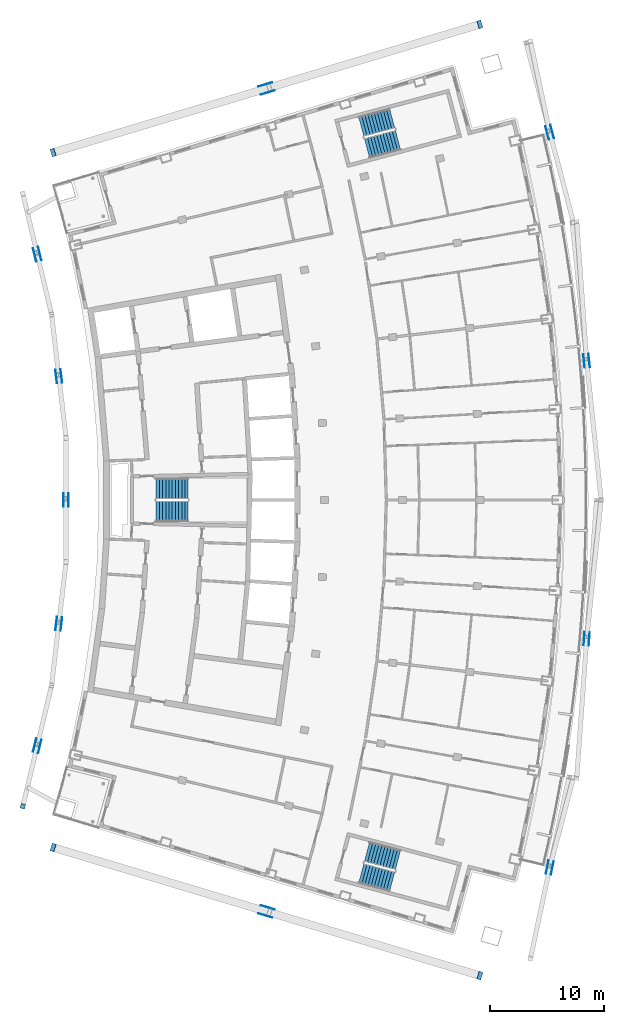
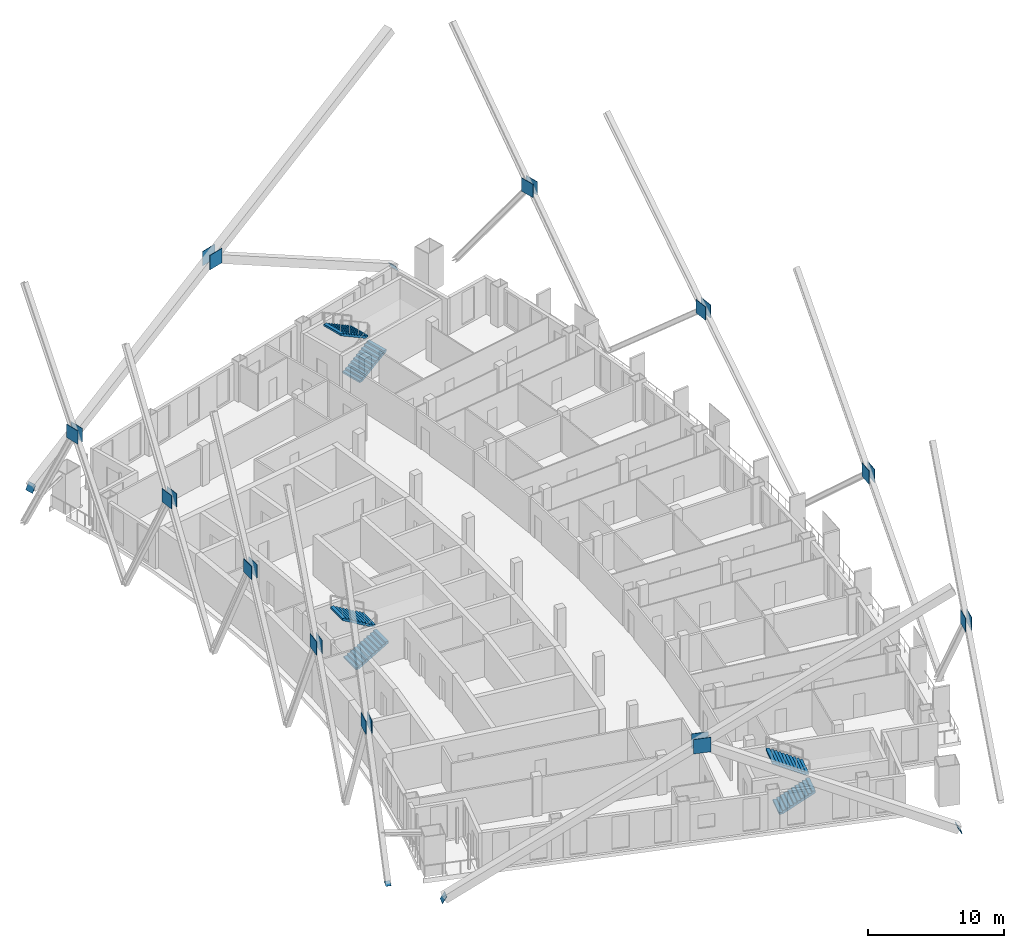
# One storey, part 15 of 21: 27 discrete accessories, 6 stair flights, 3 elements without a shape of their own.
"""IFC4 building model written with IfcOpenShell, lengths in metres."""

from ifc_helpers import new_model, si_unit, direction, frame, origin, origin_2d, place, context, subcontext, project, spatial, polyline, rectangle, outline, extrude, material, layer, layer_set, material_profile, profile_set, type_object, element, aggregate, save


model = new_model("IFC4")

# Units and contexts
model_context = context("Model", 3, precision=1e-05, world=origin(), true_north=direction((0.0, 1.0)))
body_context = subcontext(model_context, "Body", "Model", "MODEL_VIEW")
ifc_project = project(units=[si_unit("LENGTHUNIT", "METRE"), si_unit("AREAUNIT", "SQUARE_METRE"), si_unit("VOLUMEUNIT", "CUBIC_METRE"), si_unit("PLANEANGLEUNIT", "RADIAN"), si_unit("MASSUNIT", "GRAM", prefix="KILO")], contexts=[model_context])

# Site, building, storey
site_placement = place(None, origin())
site = spatial("IfcSite", under=ifc_project, at=site_placement, CompositionType="ELEMENT")
building_placement = place(site_placement, origin())
building = spatial("IfcBuilding", under=site, at=building_placement, Name="Alderwake Tower", CompositionType="ELEMENT")
storey_placement = place(building_placement, frame((0.0, 0.0, 267.199951171875)))
storey = spatial("IfcBuildingStorey", under=building, at=storey_placement, Name="L66", CompositionType="ELEMENT", Elevation=267.199951171875)

# Stair, stair flights
ifc_material_1 = material(Name="Concrete C40/50", Category="concrete")
stair_type = type_object("IfcStairType", Name="Core exit stair", PredefinedType="HALF_TURN_STAIR", material=ifc_material_1)
stair_1_placement = place(storey_placement, origin())
stair_1 = element("IfcStair", 1, at=stair_1_placement, inside=storey, type_object=stair_type, Name="L66 Exit Stair B", PredefinedType="HALF_TURN_STAIR")
ifc_material_2 = material(Name="Concrete C40/50", Category="concrete")
ifc_layer = layer(ifc_material_2, 0.14990234375)
ifc_layer_set = layer_set([ifc_layer], Name="Core stair flight")
stair_flight_type = type_object("IfcStairFlightType", Name="Core stair flight", PredefinedType="STRAIGHT", material=ifc_layer_set)
stair_flight_1_placement = place(storey_placement, frame((21.0400390625, 60.02490234375, 0.0), z_axis=(0.0, 0.0, 1.0), x_axis=(1.0, 0.0, 0.0)))
stair_flight_1 = element("IfcStairFlight", 2, at=stair_flight_1_placement, type_object=stair_flight_type, Name="ST-B flight 1", NumberOfRisers=11, NumberOfTreads=10, PredefinedType="STRAIGHT", RiserHeight=0.163636364, TreadLength=0.28, context=body_context, shape_type="SweptSolid", body=[
    extrude(outline(polyline([(0.0, 0.0), (0.0, 0.16357421875), (0.280029296875, 0.16357421875), (0.280029296875, 0.327392578125), (0.56005859375, 0.327392578125), (0.56005859375, 0.490966796875), (0.840087890625, 0.490966796875), (0.840087890625, 0.654541015625), (1.1201171875, 0.654541015625), (1.1201171875, 0.818115234375), (1.39990234375, 0.818115234375), (1.39990234375, 0.98193359375), (1.679931640625, 0.98193359375), (1.679931640625, 1.1455078125), (1.9599609375, 1.1455078125), (1.9599609375, 1.30908203125), (2.239990234375, 1.30908203125), (2.239990234375, 1.47265625), (2.52001953125, 1.47265625), (2.52001953125, 1.636474609375), (2.800048828125, 1.636474609375), (2.800048828125, 1.800048828125), (2.800048828125, 1.462646484375), (0.297119140625, 0.0), (0.0, 0.0)])), frame((0.0, 0.89990234375, 0.0), z_axis=(0.0, -1.0, 0.0), x_axis=(1.0, 0.0, 0.0)), (0.0, 0.0, 1.0), 1.800048828125),
])
stair_flight_2_placement = place(storey_placement, frame((23.840087890625, 61.97509765625, 1.800048828125), z_axis=(0.0, 0.0, 1.0), x_axis=(-1.0, 0.0, 0.0)))
stair_flight_2 = element("IfcStairFlight", 3, at=stair_flight_2_placement, type_object=stair_flight_type, Name="ST-B flight 2", NumberOfRisers=11, NumberOfTreads=10, PredefinedType="STRAIGHT", RiserHeight=0.163636364, TreadLength=0.28, context=body_context, shape_type="SweptSolid", body=[
    extrude(outline(polyline([(0.0, 0.0), (0.0, 0.16357421875), (0.280029296875, 0.16357421875), (0.280029296875, 0.327392578125), (0.56005859375, 0.327392578125), (0.56005859375, 0.490966796875), (0.840087890625, 0.490966796875), (0.840087890625, 0.654541015625), (1.1201171875, 0.654541015625), (1.1201171875, 0.818115234375), (1.39990234375, 0.818115234375), (1.39990234375, 0.98193359375), (1.679931640625, 0.98193359375), (1.679931640625, 1.1455078125), (1.9599609375, 1.1455078125), (1.9599609375, 1.30908203125), (2.239990234375, 1.30908203125), (2.239990234375, 1.47265625), (2.52001953125, 1.47265625), (2.52001953125, 1.636474609375), (2.800048828125, 1.636474609375), (2.800048828125, 1.800048828125), (2.800048828125, 1.462646484375), (0.297119140625, 0.0), (0.0, 0.0)])), frame((0.0, 0.89990234375, 0.0), z_axis=(0.0, -1.0, 0.0), x_axis=(1.0, 0.0, 0.0)), (0.0, 0.0, 1.0), 1.800048828125),
])
aggregate(stair_1, [stair_flight_1, stair_flight_2])

stair_2_placement = place(storey_placement, origin())
stair_2 = element("IfcStair", 4, at=stair_2_placement, inside=storey, type_object=stair_type, Name="L66 Exit Stair A", PredefinedType="HALF_TURN_STAIR")
stair_flight_3_placement = place(storey_placement, frame((39.512939453125, 91.823974609375, 0.0), z_axis=(0.0, 0.0, 1.0), x_axis=(0.966309627437, 0.257382407951, 0.0)))
stair_flight_3 = element("IfcStairFlight", 5, at=stair_flight_3_placement, type_object=stair_flight_type, Name="ST-A flight 1", NumberOfRisers=11, NumberOfTreads=10, PredefinedType="STRAIGHT", RiserHeight=0.163636364, TreadLength=0.28, context=body_context, shape_type="SweptSolid", body=[
    extrude(outline(polyline([(0.0, 0.0), (0.0, 0.16357421875), (0.280029296875, 0.16357421875), (0.280029296875, 0.327392578125), (0.56005859375, 0.327392578125), (0.56005859375, 0.490966796875), (0.840087890625, 0.490966796875), (0.840087890625, 0.654541015625), (1.1201171875, 0.654541015625), (1.1201171875, 0.818115234375), (1.39990234375, 0.818115234375), (1.39990234375, 0.98193359375), (1.679931640625, 0.98193359375), (1.679931640625, 1.1455078125), (1.9599609375, 1.1455078125), (1.9599609375, 1.30908203125), (2.239990234375, 1.30908203125), (2.239990234375, 1.47265625), (2.52001953125, 1.47265625), (2.52001953125, 1.636474609375), (2.800048828125, 1.636474609375), (2.800048828125, 1.800048828125), (2.800048828125, 1.462646484375), (0.297119140625, 0.0), (0.0, 0.0)])), frame((0.0, 0.89990234375, 0.0), z_axis=(0.0, -1.0, 0.0), x_axis=(1.0, 0.0, 0.0)), (0.0, 0.0, 1.0), 1.800048828125),
])
stair_flight_4_placement = place(storey_placement, frame((41.716796875, 94.428955078125, 1.800048828125), z_axis=(0.0, 0.0, 1.0), x_axis=(-0.966309627437, -0.257382407951, 0.0)))
stair_flight_4 = element("IfcStairFlight", 6, at=stair_flight_4_placement, type_object=stair_flight_type, Name="ST-A flight 2", NumberOfRisers=11, NumberOfTreads=10, PredefinedType="STRAIGHT", RiserHeight=0.163636364, TreadLength=0.28, context=body_context, shape_type="SweptSolid", body=[
    extrude(outline(polyline([(0.0, 0.0), (0.0, 0.16357421875), (0.280029296875, 0.16357421875), (0.280029296875, 0.327392578125), (0.56005859375, 0.327392578125), (0.56005859375, 0.490966796875), (0.840087890625, 0.490966796875), (0.840087890625, 0.654541015625), (1.1201171875, 0.654541015625), (1.1201171875, 0.818115234375), (1.39990234375, 0.818115234375), (1.39990234375, 0.98193359375), (1.679931640625, 0.98193359375), (1.679931640625, 1.1455078125), (1.9599609375, 1.1455078125), (1.9599609375, 1.30908203125), (2.239990234375, 1.30908203125), (2.239990234375, 1.47265625), (2.52001953125, 1.47265625), (2.52001953125, 1.636474609375), (2.800048828125, 1.636474609375), (2.800048828125, 1.800048828125), (2.800048828125, 1.462646484375), (0.297119140625, 0.0), (0.0, 0.0)])), frame((0.0, 0.89990234375, 0.0), z_axis=(0.0, -1.0, 0.0), x_axis=(1.0, 0.0, 0.0)), (0.0, 0.0, 1.0), 1.800048828125),
])
aggregate(stair_2, [stair_flight_3, stair_flight_4])

stair_3_placement = place(storey_placement, origin())
stair_3 = element("IfcStair", 7, at=stair_3_placement, inside=storey, type_object=stair_type, Name="L66 Exit Stair C", PredefinedType="HALF_TURN_STAIR")
stair_flight_5_placement = place(storey_placement, frame((39.010986328125, 28.291748046875, 0.0), z_axis=(0.0, 0.0, 1.0), x_axis=(0.966309627437, -0.257382407951, 0.0)))
stair_flight_5 = element("IfcStairFlight", 8, at=stair_flight_5_placement, type_object=stair_flight_type, Name="ST-C flight 1", NumberOfRisers=11, NumberOfTreads=10, PredefinedType="STRAIGHT", RiserHeight=0.163636364, TreadLength=0.28, context=body_context, shape_type="SweptSolid", body=[
    extrude(outline(polyline([(0.0, 0.0), (0.0, 0.16357421875), (0.280029296875, 0.16357421875), (0.280029296875, 0.327392578125), (0.56005859375, 0.327392578125), (0.56005859375, 0.490966796875), (0.840087890625, 0.490966796875), (0.840087890625, 0.654541015625), (1.1201171875, 0.654541015625), (1.1201171875, 0.818115234375), (1.39990234375, 0.818115234375), (1.39990234375, 0.98193359375), (1.679931640625, 0.98193359375), (1.679931640625, 1.1455078125), (1.9599609375, 1.1455078125), (1.9599609375, 1.30908203125), (2.239990234375, 1.30908203125), (2.239990234375, 1.47265625), (2.52001953125, 1.47265625), (2.52001953125, 1.636474609375), (2.800048828125, 1.636474609375), (2.800048828125, 1.800048828125), (2.800048828125, 1.462646484375), (0.297119140625, 0.0), (0.0, 0.0)])), frame((0.0, 0.89990234375, 0.0), z_axis=(0.0, -1.0, 0.0), x_axis=(1.0, 0.0, 0.0)), (0.0, 0.0, 1.0), 1.800048828125),
])
stair_flight_6_placement = place(storey_placement, frame((42.218505859375, 29.455322265625, 1.800048828125), z_axis=(0.0, 0.0, 1.0), x_axis=(-0.966309627437, 0.257382407951, 0.0)))
stair_flight_6 = element("IfcStairFlight", 9, at=stair_flight_6_placement, type_object=stair_flight_type, Name="ST-C flight 2", NumberOfRisers=11, NumberOfTreads=10, PredefinedType="STRAIGHT", RiserHeight=0.163636364, TreadLength=0.28, context=body_context, shape_type="SweptSolid", body=[
    extrude(outline(polyline([(0.0, 0.0), (0.0, 0.16357421875), (0.280029296875, 0.16357421875), (0.280029296875, 0.327392578125), (0.56005859375, 0.327392578125), (0.56005859375, 0.490966796875), (0.840087890625, 0.490966796875), (0.840087890625, 0.654541015625), (1.1201171875, 0.654541015625), (1.1201171875, 0.818115234375), (1.39990234375, 0.818115234375), (1.39990234375, 0.98193359375), (1.679931640625, 0.98193359375), (1.679931640625, 1.1455078125), (1.9599609375, 1.1455078125), (1.9599609375, 1.30908203125), (2.239990234375, 1.30908203125), (2.239990234375, 1.47265625), (2.52001953125, 1.47265625), (2.52001953125, 1.636474609375), (2.800048828125, 1.636474609375), (2.800048828125, 1.800048828125), (2.800048828125, 1.462646484375), (0.297119140625, 0.0), (0.0, 0.0)])), frame((0.0, 0.89990234375, 0.0), z_axis=(0.0, -1.0, 0.0), x_axis=(1.0, 0.0, 0.0)), (0.0, 0.0, 1.0), 1.800048828125),
])
aggregate(stair_3, [stair_flight_5, stair_flight_6])

# Discrete accessories
ifc_material_3 = material(Name="Steel ASTM A572 Grade 50", Category="steel")
ifc_material_profile_1 = material_profile(ifc_material_3, rectangle(XDim=0.699951171875, YDim=0.699951171875, at=origin_2d()), Name="BOX 700X700X45 cap")
ifc_profile_set_1 = profile_set([ifc_material_profile_1], Name="Steel ASTM A572 Grade 50")
discrete_accessory_type_1 = type_object("IfcDiscreteAccessoryType", Name="End cap plate BOX 700X700X45", PredefinedType="USERDEFINED", material=ifc_profile_set_1)
for number, where, z_axis, x_axis, name in (
    (10, (49.384033203125, 19.336181640625, 0.0), (0.836265988917, -0.251691705402, 0.487145236262), (0.288200688743, 0.957570030341, 0.0), "End cap BRS5.1.0A N"),
    (11, (12.031005859375, 30.550537109375, 0.0), (-0.839565428242, 0.252684740539, 0.48091611909), (-0.288200688743, -0.957570030341, 0.0), "End cap BRS5.1.0B2 N"),
    (12, (49.384033203125, 102.663818359375, 0.0), (0.836265988917, 0.251691705402, 0.487145236262), (-0.288200688743, 0.957570030341, 0.0), "End cap BRN5.1.0A N"),
    (13, (12.031005859375, 91.449462890625, 0.0), (-0.839565428242, -0.252684740539, 0.48091611909), (0.288200688743, -0.957570030341, 0.0), "End cap BRN5.1.0B2 N"),
):
    element("IfcDiscreteAccessory", number, at=place(storey_placement, frame(where, z_axis=z_axis, x_axis=x_axis)), inside=storey, type_object=discrete_accessory_type_1, Name=name, ObjectType="END CAP", PredefinedType="USERDEFINED", context=body_context, shape_type="SweptSolid", body=[
        extrude(rectangle(XDim=0.699951171875, YDim=0.699951171875, at=origin_2d()), origin(), (0.0, 0.0, 1.0), 0.030029296875),
    ])
ifc_material_4 = material(Name="Steel ASTM A572 Grade 50", Category="steel")
ifc_material_profile_2 = material_profile(ifc_material_4, rectangle(XDim=0.41552734375, YDim=0.445556640625, at=origin_2d()), Name="W14X342 cap")
ifc_profile_set_2 = profile_set([ifc_material_profile_2], Name="Steel ASTM A572 Grade 50")
discrete_accessory_type_2 = type_object("IfcDiscreteAccessoryType", Name="End cap plate W14X342", PredefinedType="USERDEFINED", material=ifc_profile_set_2)
discrete_accessory_1_placement = place(storey_placement, frame((9.359619140625, 34.171630859375, 0.0), z_axis=(-0.105869651339, -0.43162242469, 0.895820126716), x_axis=(0.971210844098, -0.238221527798, 0.0)))
element("IfcDiscreteAccessory", 14, at=discrete_accessory_1_placement, inside=storey, type_object=discrete_accessory_type_2, Name="End cap BRR5.1.2B2 N", ObjectType="END CAP", PredefinedType="USERDEFINED", context=body_context, shape_type="SweptSolid", body=[
    extrude(rectangle(XDim=0.41552734375, YDim=0.445556640625, at=origin_2d()), origin(), (0.0, 0.0, 1.0), 0.030029296875),
])
ifc_material_5 = material(Name="Steel ASTM A572 Grade 50", Category="steel")
ifc_material_profile_3 = material_profile(ifc_material_5, rectangle(XDim=1.199951171875, YDim=1.199951171875, at=origin_2d()), Name="gusset 1200X1200")
ifc_profile_set_3 = profile_set([ifc_material_profile_3], Name="Steel ASTM A572 Grade 50")
discrete_accessory_type_3 = type_object("IfcDiscreteAccessoryType", Name="Gusset plate 1200X1200X40", PredefinedType="USERDEFINED", material=ifc_profile_set_3)
for number, where, z_axis, x_axis, name in (
    (15, (55.726318359375, 28.76025390625, 10.800048828125), (0.978158850918, -0.20785875582, 0.0), (0.20785875582, 0.978158850918, 0.0), "Gusset plate BRF5.2.2B outer"),
    (16, (55.31982421875, 28.846435546875, 10.800048828125), (-0.978158850918, 0.20785875582, 0.0), (-0.20785875582, -0.978158850918, 0.0), "Gusset plate BRF5.2.2B inner"),
    (17, (58.9638671875, 48.83056640625, 10.800048828125), (0.997333723592, -0.072975638312, 0.0), (0.072975638312, 0.997333723592, 0.0), "Gusset plate BRF5.2.4B outer"),
):
    element("IfcDiscreteAccessory", number, at=place(storey_placement, frame(where, z_axis=z_axis, x_axis=x_axis)), inside=storey, type_object=discrete_accessory_type_3, Name=name, ObjectType="GUSSET PLATE", PredefinedType="USERDEFINED", context=body_context, shape_type="SweptSolid", body=[
        extrude(rectangle(XDim=1.199951171875, YDim=1.199951171875, at=origin_2d()), origin(), (0.0, 0.0, 1.0), 0.0400390625),
    ])
discrete_accessory_2_placement = place(storey_placement, frame((58.54931640625, 48.860107421875, 10.800048828125), z_axis=(-0.997730658465, 0.067331516829, 0.0), x_axis=(-0.067331516829, -0.997730658465, 0.0)))
element("IfcDiscreteAccessory", 18, at=discrete_accessory_2_placement, inside=storey, type_object=discrete_accessory_type_3, Name="Gusset plate BRF5.2.4B inner", ObjectType="GUSSET PLATE", PredefinedType="USERDEFINED", context=body_context, shape_type="SweptSolid", body=[
    extrude(rectangle(XDim=1.199951171875, YDim=1.199951171875, at=origin_2d()), origin(), (0.0, 0.0, 1.0), 0.039794921875),
])
discrete_accessory_3_placement = place(storey_placement, frame((58.960205078125, 73.211181640625, 10.800048828125), z_axis=(0.99460530117, 0.103731841226, 0.0), x_axis=(-0.103731841226, 0.99460530117, 0.0)))
element("IfcDiscreteAccessory", 19, at=discrete_accessory_3_placement, inside=storey, type_object=discrete_accessory_type_3, Name="Gusset plate BRF5.2.7B outer", ObjectType="GUSSET PLATE", PredefinedType="USERDEFINED", context=body_context, shape_type="SweptSolid", body=[
    extrude(rectangle(XDim=1.199951171875, YDim=1.199951171875, at=origin_2d()), origin(), (0.0, 0.0, 1.0), 0.0400390625),
])
discrete_accessory_4_placement = place(storey_placement, frame((58.547119140625, 73.168212890625, 10.800048828125), z_axis=(-0.994670366198, -0.103106074545, 0.0), x_axis=(0.103106074545, -0.994670366198, 0.0)))
element("IfcDiscreteAccessory", 20, at=discrete_accessory_4_placement, inside=storey, type_object=discrete_accessory_type_3, Name="Gusset plate BRF5.2.7B inner", ObjectType="GUSSET PLATE", PredefinedType="USERDEFINED", context=body_context, shape_type="SweptSolid", body=[
    extrude(rectangle(XDim=1.199951171875, YDim=1.199951171875, at=origin_2d()), origin(), (0.0, 0.0, 1.0), 0.040283203125),
])
discrete_accessory_5_placement = place(storey_placement, frame((55.718505859375, 93.2724609375, 10.800048828125), z_axis=(0.966437683387, 0.256901156343, 0.0), x_axis=(-0.256901156343, 0.966437683387, 0.0)))
element("IfcDiscreteAccessory", 21, at=discrete_accessory_5_placement, inside=storey, type_object=discrete_accessory_type_3, Name="Gusset plate BRF5.2.10B outer", ObjectType="GUSSET PLATE", PredefinedType="USERDEFINED", context=body_context, shape_type="SweptSolid", body=[
    extrude(rectangle(XDim=1.199951171875, YDim=1.199951171875, at=origin_2d()), origin(), (0.0, 0.0, 1.0), 0.039794921875),
])
for number, where, z_axis, x_axis, name in (
    (22, (55.31689453125, 93.16650390625, 10.800048828125), (-0.966837822169, -0.255391122837, 0.0), (0.255391122837, -0.966837822169, 0.0), "Gusset plate BRF5.2.10B inner"),
    (23, (10.8193359375, 39.415771484375, 10.800048828125), (0.97293655072, -0.231072430796, 0.0), (0.231072430796, 0.97293655072, 0.0), "Gusset plate BRR5.2.2B outer"),
    (24, (10.415283203125, 39.51171875, 10.800048828125), (-0.97293655072, 0.231072430796, 0.0), (-0.231072430796, -0.97293655072, 0.0), "Gusset plate BRR5.2.2B inner"),
):
    element("IfcDiscreteAccessory", number, at=place(storey_placement, frame(where, z_axis=z_axis, x_axis=x_axis)), inside=storey, type_object=discrete_accessory_type_3, Name=name, ObjectType="GUSSET PLATE", PredefinedType="USERDEFINED", context=body_context, shape_type="SweptSolid", body=[
        extrude(rectangle(XDim=1.199951171875, YDim=1.199951171875, at=origin_2d()), origin(), (0.0, 0.0, 1.0), 0.0400390625),
    ])
for number, where, z_axis, x_axis, name in (
    (25, (12.714599609375, 50.134033203125, 10.800048828125), (0.993192389202, -0.116485527129, 0.0), (0.116485527129, 0.993192389202, 0.0), "Gusset plate BRR5.2.4B outer"),
    (26, (12.3017578125, 50.182373046875, 10.800048828125), (-0.993192389202, 0.116485527129, 0.0), (-0.116485527129, -0.993192389202, 0.0), "Gusset plate BRR5.2.4B inner"),
    (27, (13.34912109375, 61.0, 10.800048828125), (1.0, 0.0, 0.0), (0.0, 1.0, 0.0), "Gusset plate BRR5.2.6B outer"),
):
    element("IfcDiscreteAccessory", number, at=place(storey_placement, frame(where, z_axis=z_axis, x_axis=x_axis)), inside=storey, type_object=discrete_accessory_type_3, Name=name, ObjectType="GUSSET PLATE", PredefinedType="USERDEFINED", context=body_context, shape_type="SweptSolid", body=[
        extrude(rectangle(XDim=1.199951171875, YDim=1.199951171875, at=origin_2d()), origin(), (0.0, 0.0, 1.0), 0.039794921875),
    ])
discrete_accessory_6_placement = place(storey_placement, frame((12.93359375, 61.0, 10.800048828125), z_axis=(-1.0, 0.0, 0.0), x_axis=(0.0, -1.0, 0.0)))
element("IfcDiscreteAccessory", 28, at=discrete_accessory_6_placement, inside=storey, type_object=discrete_accessory_type_3, Name="Gusset plate BRR5.2.6B inner", ObjectType="GUSSET PLATE", PredefinedType="USERDEFINED", context=body_context, shape_type="SweptSolid", body=[
    extrude(rectangle(XDim=1.199951171875, YDim=1.199951171875, at=origin_2d()), origin(), (0.0, 0.0, 1.0), 0.0400390625),
])
for number, where, z_axis, x_axis, name in (
    (29, (12.714599609375, 71.865966796875, 10.800048828125), (0.993192389202, 0.116485527129, 0.0), (-0.116485527129, 0.993192389202, 0.0), "Gusset plate BRR5.2.8B outer"),
    (30, (12.3017578125, 71.817626953125, 10.800048828125), (-0.993192389202, -0.116485527129, 0.0), (0.116485527129, -0.993192389202, 0.0), "Gusset plate BRR5.2.8B inner"),
):
    element("IfcDiscreteAccessory", number, at=place(storey_placement, frame(where, z_axis=z_axis, x_axis=x_axis)), inside=storey, type_object=discrete_accessory_type_3, Name=name, ObjectType="GUSSET PLATE", PredefinedType="USERDEFINED", context=body_context, shape_type="SweptSolid", body=[
        extrude(rectangle(XDim=1.199951171875, YDim=1.199951171875, at=origin_2d()), origin(), (0.0, 0.0, 1.0), 0.039794921875),
    ])
for number, where, z_axis, x_axis, name in (
    (31, (10.8193359375, 82.584228515625, 10.800048828125), (0.97293655072, 0.231072430796, 0.0), (-0.231072430796, 0.97293655072, 0.0), "Gusset plate BRR5.2.10B outer"),
    (32, (10.415283203125, 82.48828125, 10.800048828125), (-0.97293655072, -0.231072430796, 0.0), (0.231072430796, -0.97293655072, 0.0), "Gusset plate BRR5.2.10B inner"),
):
    element("IfcDiscreteAccessory", number, at=place(storey_placement, frame(where, z_axis=z_axis, x_axis=x_axis)), inside=storey, type_object=discrete_accessory_type_3, Name=name, ObjectType="GUSSET PLATE", PredefinedType="USERDEFINED", context=body_context, shape_type="SweptSolid", body=[
        extrude(rectangle(XDim=1.199951171875, YDim=1.199951171875, at=origin_2d()), origin(), (0.0, 0.0, 1.0), 0.0400390625),
    ])
ifc_material_6 = material(Name="Steel ASTM A572 Grade 50", Category="steel")
ifc_material_profile_4 = material_profile(ifc_material_6, rectangle(XDim=1.300048828125, YDim=1.300048828125, at=origin_2d()), Name="gusset 1300X1300")
ifc_profile_set_4 = profile_set([ifc_material_profile_4], Name="Steel ASTM A572 Grade 50")
discrete_accessory_type_4 = type_object("IfcDiscreteAccessoryType", Name="Gusset plate 1300X1300X40", PredefinedType="USERDEFINED", material=ifc_profile_set_4)
for number, where, z_axis, x_axis, name in (
    (33, (30.60693359375, 24.608154296875, 10.800048828125), (-0.286788031626, -0.95799406309, 0.0), (0.95799406309, -0.286788031626, 0.0), "Gusset plate BRS5.2.0B outer"),
    (34, (30.80810546875, 25.278564453125, 10.800048828125), (0.286788031626, 0.95799406309, 0.0), (-0.95799406309, 0.286788031626, 0.0), "Gusset plate BRS5.2.0B inner"),
    (35, (30.60693359375, 97.391845703125, 10.800048828125), (-0.286788031626, 0.95799406309, 0.0), (-0.95799406309, -0.286788031626, 0.0), "Gusset plate BRN5.2.0B outer"),
    (36, (30.80810546875, 96.721435546875, 10.800048828125), (0.286788031626, -0.95799406309, 0.0), (0.95799406309, 0.286788031626, 0.0), "Gusset plate BRN5.2.0B inner"),
):
    element("IfcDiscreteAccessory", number, at=place(storey_placement, frame(where, z_axis=z_axis, x_axis=x_axis)), inside=storey, type_object=discrete_accessory_type_4, Name=name, ObjectType="GUSSET PLATE", PredefinedType="USERDEFINED", context=body_context, shape_type="SweptSolid", body=[
        extrude(rectangle(XDim=1.300048828125, YDim=1.300048828125, at=origin_2d()), origin(), (0.0, 0.0, 1.0), 0.0400390625),
    ])

save(model, "model.ifc")
